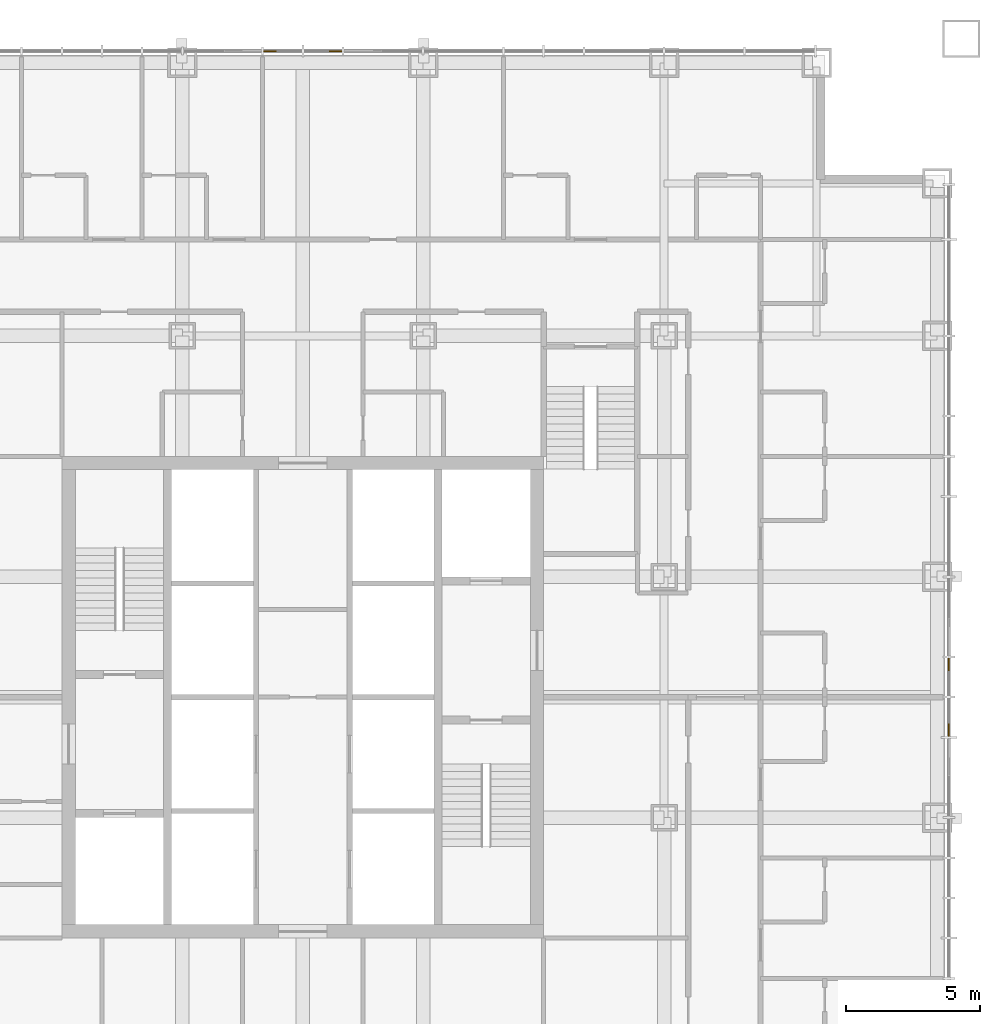
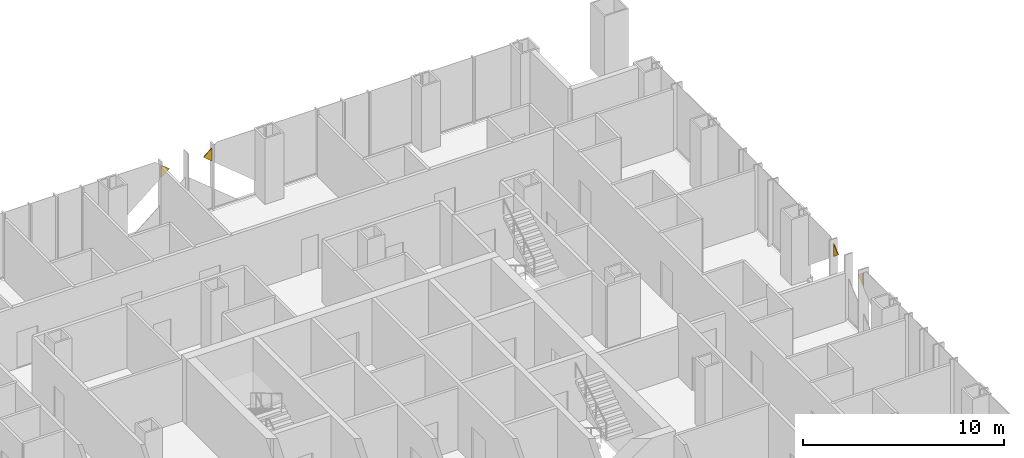
# One storey, part 16 of 16: 4 coverings.
"""IFC4 building model written with IfcOpenShell, lengths in metres."""

from ifc_helpers import new_model, si_unit, direction, frame, origin, place, context, subcontext, project, spatial, polyline, outline, extrude, material, layer, layer_set, type_object, element, save


model = new_model("IFC4")

# Units and contexts
model_context = context("Model", 3, precision=1e-05, world=origin(), true_north=direction((0.0, 1.0)))
body_context = subcontext(model_context, "Body", "Model", "MODEL_VIEW")
ifc_project = project(units=[si_unit("LENGTHUNIT", "METRE"), si_unit("AREAUNIT", "SQUARE_METRE"), si_unit("VOLUMEUNIT", "CUBIC_METRE"), si_unit("PLANEANGLEUNIT", "RADIAN"), si_unit("MASSUNIT", "GRAM", prefix="KILO")], contexts=[model_context])

# Site, building, storey
site_placement = place(None, origin())
site = spatial("IfcSite", under=ifc_project, at=site_placement, CompositionType="ELEMENT")
building_placement = place(site_placement, origin())
building = spatial("IfcBuilding", under=site, at=building_placement, Name="Malebo Sky Hospital", CompositionType="ELEMENT")
storey_placement = place(building_placement, frame((0.0, 0.0, 116.0)))
storey = spatial("IfcBuildingStorey", under=building, at=storey_placement, Name="L27", CompositionType="ELEMENT", Elevation=116.0)

# Coverings
ifc_material = material(Name="Anodised aluminium, natural silver insulated infill panel", Category="aluminium")
ifc_layer = layer(ifc_material, 0.0400390625)
ifc_layer_set = layer_set([ifc_layer], Name="BRACE INFILL PANEL 40")
covering_type = type_object("IfcCoveringType", Name="BRACE INFILL PANEL 40", PredefinedType="CLADDING", material=ifc_layer_set)
covering_1_placement = place(storey_placement, frame((58.777099609375, 86.135009765625, 2.930419921875), z_axis=(0.0, 0.0, 1.0), x_axis=(1.0, 0.0, 0.0)))
element("IfcCovering", 1, at=covering_1_placement, inside=storey, type_object=covering_type, Name="Brace infill panel 9.1", PredefinedType="CLADDING", context=body_context, shape_type="SweptSolid", body=[
    extrude(outline(polyline([(-0.239501953125, 0.0), (0.239501953125, 0.394775390625), (-0.239501953125, 0.78955078125), (-0.239501953125, 0.0)])), frame((0.0, 0.02001953125, 0.0), z_axis=(0.0, -1.0, 0.0), x_axis=(1.0, 0.0, 0.0)), (0.0, 0.0, 1.0), 0.0400390625),
])
covering_2_placement = place(storey_placement, frame((61.222900390625, 86.135009765625, 2.930419921875), z_axis=(0.0, 0.0, 1.0), x_axis=(1.0, 0.0, 0.0)))
element("IfcCovering", 2, at=covering_2_placement, inside=storey, type_object=covering_type, Name="Brace infill panel 10.1", PredefinedType="CLADDING", context=body_context, shape_type="SweptSolid", body=[
    extrude(outline(polyline([(0.239501953125, 0.0), (0.239501953125, 0.78955078125), (-0.239501953125, 0.394775390625), (0.239501953125, 0.0)])), frame((0.0, 0.02001953125, 0.0), z_axis=(0.0, -1.0, 0.0), x_axis=(1.0, 0.0, 0.0)), (0.0, 0.0, 1.0), 0.0400390625),
])
covering_3_placement = place(storey_placement, frame((84.135009765625, 63.222900390625, 2.930419921875), z_axis=(0.0, 0.0, 1.0), x_axis=(0.0, -1.0, 0.0)))
element("IfcCovering", 3, at=covering_3_placement, inside=storey, type_object=covering_type, Name="Brace infill panel 8.1", PredefinedType="CLADDING", context=body_context, shape_type="SweptSolid", body=[
    extrude(outline(polyline([(-0.239501953125, 0.0), (0.239501953125, 0.394775390625), (-0.239501953125, 0.78955078125), (-0.239501953125, 0.0)])), frame((0.0, 0.02001953125, 0.0), z_axis=(0.0, -1.0, 0.0), x_axis=(1.0, 0.0, 0.0)), (0.0, 0.0, 1.0), 0.0400390625),
])
covering_4_placement = place(storey_placement, frame((84.135009765625, 60.777099609375, 2.930419921875), z_axis=(0.0, 0.0, 1.0), x_axis=(0.0, -1.0, 0.0)))
element("IfcCovering", 4, at=covering_4_placement, inside=storey, type_object=covering_type, Name="Brace infill panel 9.1", PredefinedType="CLADDING", context=body_context, shape_type="SweptSolid", body=[
    extrude(outline(polyline([(0.239501953125, 0.0), (0.239501953125, 0.78955078125), (-0.239501953125, 0.394775390625), (0.239501953125, 0.0)])), frame((0.0, 0.02001953125, 0.0), z_axis=(0.0, -1.0, 0.0), x_axis=(1.0, 0.0, 0.0)), (0.0, 0.0, 1.0), 0.0400390625),
])

save(model, "model.ifc")
